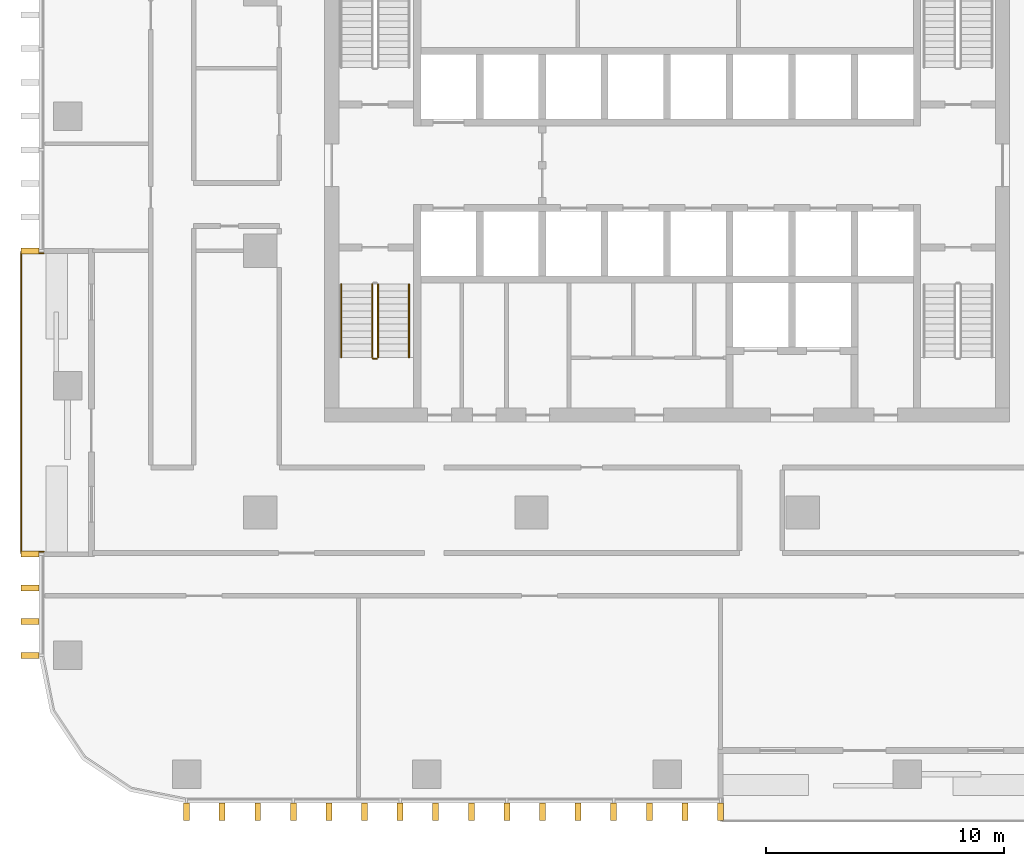
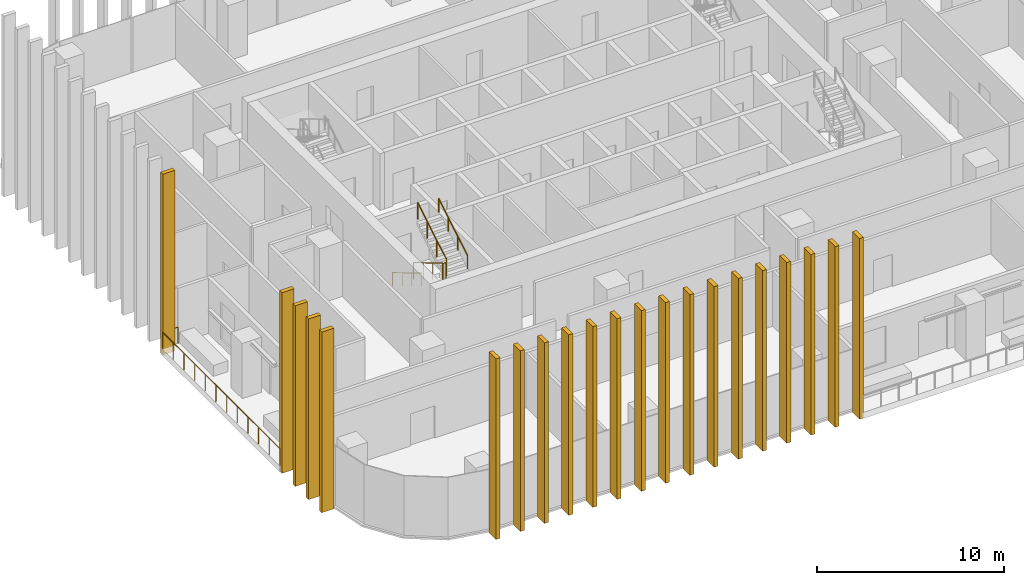
# One storey, part 12 of 16: 21 shading devices, 5 railings.
"""IFC4 building model written with IfcOpenShell, lengths in metres."""

from ifc_helpers import new_model, si_unit, direction, frame, origin, origin_2d, place, context, subcontext, project, spatial, rectangle, circle, extrude, material, type_object, element, save


model = new_model("IFC4")

# Units and contexts
model_context = context("Model", 3, precision=1e-05, world=origin(), true_north=direction((0.0, 1.0)))
body_context = subcontext(model_context, "Body", "Model", "MODEL_VIEW")
ifc_project = project(units=[si_unit("LENGTHUNIT", "METRE"), si_unit("AREAUNIT", "SQUARE_METRE"), si_unit("VOLUMEUNIT", "CUBIC_METRE"), si_unit("PLANEANGLEUNIT", "RADIAN"), si_unit("MASSUNIT", "GRAM", prefix="KILO")], contexts=[model_context])

# Site, building, storey
site_placement = place(None, origin())
site = spatial("IfcSite", under=ifc_project, at=site_placement, CompositionType="ELEMENT")
building_placement = place(site_placement, origin())
building = spatial("IfcBuilding", under=site, at=building_placement, Name="Mopane Tessera Tower", CompositionType="ELEMENT")
storey_placement = place(building_placement, frame((0.0, 0.0, 193.0)))
storey = spatial("IfcBuildingStorey", under=building, at=storey_placement, Name="L40", CompositionType="ELEMENT", Elevation=193.0)

# Shading devices
ifc_material_1 = material(Name="Glazed ceramic tile")
shading_device_type = type_object("IfcShadingDeviceType", Name="Ceramic tile fin 750 x 250 mm", PredefinedType="USERDEFINED", material=ifc_material_1)
for number, where, z_axis, x_axis, name in (
    (1, (-20.199951171875, -23.574951171875, -0.39990234375), (0.0, 0.0, 1.0), (1.0, 0.0, 0.0), "e:fin:L40:S:0:0"),
    (2, (-18.70361328125, -23.574951171875, -0.39990234375), (0.0, 0.0, 1.0), (1.0, 0.0, 0.0), "e:fin:L40:S:0:1"),
    (3, (-17.20751953125, -23.574951171875, -0.39990234375), (0.0, 0.0, 1.0), (1.0, 0.0, 0.0), "e:fin:L40:S:0:2"),
    (4, (-15.711181640625, -23.574951171875, -0.39990234375), (0.0, 0.0, 1.0), (1.0, 0.0, 0.0), "e:fin:L40:S:1:0"),
    (5, (-14.21484375, -23.574951171875, -0.39990234375), (0.0, 0.0, 1.0), (1.0, 0.0, 0.0), "e:fin:L40:S:1:1"),
    (6, (-12.718505859375, -23.574951171875, -0.39990234375), (0.0, 0.0, 1.0), (1.0, 0.0, 0.0), "e:fin:L40:S:1:2"),
    (7, (-11.22216796875, -23.574951171875, -0.39990234375), (0.0, 0.0, 1.0), (1.0, 0.0, 0.0), "e:fin:L40:S:2:0"),
    (8, (-9.725830078125, -23.574951171875, -0.39990234375), (0.0, 0.0, 1.0), (1.0, 0.0, 0.0), "e:fin:L40:S:2:1"),
    (9, (-8.229736328125, -23.574951171875, -0.39990234375), (0.0, 0.0, 1.0), (1.0, 0.0, 0.0), "e:fin:L40:S:2:2"),
    (10, (-6.7333984375, -23.574951171875, -0.39990234375), (0.0, 0.0, 1.0), (1.0, 0.0, 0.0), "e:fin:L40:S:3:0"),
    (11, (-5.237060546875, -23.574951171875, -0.39990234375), (0.0, 0.0, 1.0), (1.0, 0.0, 0.0), "e:fin:L40:S:3:1"),
    (12, (-3.74072265625, -23.574951171875, -0.39990234375), (0.0, 0.0, 1.0), (1.0, 0.0, 0.0), "e:fin:L40:S:3:2"),
    (13, (-2.244384765625, -23.574951171875, -0.39990234375), (0.0, 0.0, 1.0), (1.0, 0.0, 0.0), "e:fin:L40:S:4:0"),
    (14, (-0.748046875, -23.574951171875, -0.39990234375), (0.0, 0.0, 1.0), (1.0, 0.0, 0.0), "e:fin:L40:S:4:1"),
    (15, (0.748046875, -23.574951171875, -0.39990234375), (0.0, 0.0, 1.0), (1.0, 0.0, 0.0), "e:fin:L40:S:4:2"),
    (16, (2.244384765625, -23.574951171875, -0.39990234375), (0.0, 0.0, 1.0), (1.0, 0.0, 0.0), "e:fin:L40:S:4:3"),
    (17, (-26.77490234375, 0.0, -0.39990234375), (0.0, 0.0, 1.0), (0.0, -1.0, 0.0), "e:fin:L40:W:3:3"),
    (18, (-26.77490234375, -12.75, -0.39990234375), (0.0, 0.0, 1.0), (0.0, -1.0, 0.0), "e:fin:L40:W:7:0"),
    (19, (-26.77490234375, -14.166748046875, -0.39990234375), (0.0, 0.0, 1.0), (0.0, -1.0, 0.0), "e:fin:L40:W:7:1"),
    (20, (-26.77490234375, -15.583251953125, -0.39990234375), (0.0, 0.0, 1.0), (0.0, -1.0, 0.0), "e:fin:L40:W:7:2"),
    (21, (-26.77490234375, -17.0, -0.39990234375), (0.0, 0.0, 1.0), (0.0, -1.0, 0.0), "e:fin:L40:W:7:3"),
):
    element("IfcShadingDevice", number, at=place(storey_placement, frame(where, z_axis=z_axis, x_axis=x_axis)), inside=storey, type_object=shading_device_type, Name=name, ObjectType="FIN", PredefinedType="USERDEFINED", context=body_context, shape_type="SweptSolid", body=[
        extrude(rectangle(XDim=0.25, YDim=0.75, at=origin_2d()), origin(), (0.0, 0.0, 1.0), 11.800048828125),
    ])

# Railings
ifc_material_2 = material(Name="Powder-coated steel balustrade", Category="steel")
railing_type_1 = type_object("IfcRailingType", Name="Escape stair guard 1100 mm", PredefinedType="GUARDRAIL", material=ifc_material_2)
railing_1_placement = place(storey_placement, frame((-12.39990234375, -1.39990234375, 0.166748046875)))
element("IfcRailing", 22, at=railing_1_placement, inside=storey, type_object=railing_type_1, Name="L40 ST1 stair guard 1", PredefinedType="GUARDRAIL", context=body_context, shape_type="SweptSolid", body=[
    extrude(circle(Radius=0.02392578125, at=origin_2d()), frame((0.0, 0.0, 1.076171875), z_axis=(0.0, -0.859308565015, 0.511457515432), x_axis=(1.0, 0.0, 0.0)), (0.0, 0.0, 1.0), 3.58447265625),
    extrude(circle(Radius=0.02392578125, at=origin_2d()), frame((0.0, -3.080078125, 2.9091796875), z_axis=(0.705375805398, -0.708833529934, 0.0), x_axis=(0.708833529934, 0.705375805398, 0.0)), (0.0, 0.0, 1.0), 0.070556640625),
    extrude(circle(Radius=0.02392578125, at=origin_2d()), frame((0.0498046875, -3.130126953125, 2.9091796875), z_axis=(1.0, 0.0, 0.0), x_axis=(0.0, 1.0, 0.0)), (0.0, 0.0, 1.0), 0.150146484375),
    extrude(circle(Radius=0.02099609375, at=origin_2d()), origin(), (0.0, 0.0, 1.0), 1.052001953125),
    extrude(circle(Radius=0.02099609375, at=origin_2d()), frame((0.0, -1.026611328125, 0.611083984375)), (0.0, 0.0, 1.0), 1.052001953125),
    extrude(circle(Radius=0.02099609375, at=origin_2d()), frame((0.0, -2.053466796875, 1.22216796875)), (0.0, 0.0, 1.0), 1.052001953125),
    extrude(circle(Radius=0.02099609375, at=origin_2d()), frame((0.0, -3.080078125, 1.833251953125)), (0.0, 0.0, 1.0), 1.052001953125),
    extrude(circle(Radius=0.02099609375, at=origin_2d()), frame((0.0498046875, -3.130126953125, 1.833251953125)), (0.0, 0.0, 1.0), 1.052001953125),
    extrude(circle(Radius=0.02099609375, at=origin_2d()), frame((0.199951171875, -3.130126953125, 1.833251953125)), (0.0, 0.0, 1.0), 1.052001953125),
])
railing_2_placement = place(storey_placement, frame((-12.14990234375, -4.47998046875, 2.166748046875)))
element("IfcRailing", 23, at=railing_2_placement, inside=storey, type_object=railing_type_1, Name="L40 ST1 stair guard 2", PredefinedType="GUARDRAIL", context=body_context, shape_type="SweptSolid", body=[
    extrude(circle(Radius=0.02392578125, at=origin_2d()), frame((0.0, 0.0, 1.076171875), z_axis=(0.0, 0.859308565015, 0.511457515432), x_axis=(-1.0, 0.0, 0.0)), (0.0, 0.0, 1.0), 3.58447265625),
    extrude(circle(Radius=0.02099609375, at=origin_2d()), origin(), (0.0, 0.0, 1.0), 1.052001953125),
    extrude(circle(Radius=0.02099609375, at=origin_2d()), frame((0.0, 1.026611328125, 0.611083984375)), (0.0, 0.0, 1.0), 1.052001953125),
    extrude(circle(Radius=0.02099609375, at=origin_2d()), frame((0.0, 2.053466796875, 1.22216796875)), (0.0, 0.0, 1.0), 1.052001953125),
    extrude(circle(Radius=0.02099609375, at=origin_2d()), frame((0.0, 3.080078125, 1.833251953125)), (0.0, 0.0, 1.0), 1.052001953125),
])
ifc_material_3 = material(Name="Powder-coated steel balustrade", Category="steel")
railing_type_2 = type_object("IfcRailingType", Name="Escape stair handrail 900 mm", PredefinedType="HANDRAIL", material=ifc_material_3)
railing_3_placement = place(storey_placement, frame((-13.699951171875, -1.39990234375, 0.166748046875)))
element("IfcRailing", 24, at=railing_3_placement, inside=storey, type_object=railing_type_2, Name="L40 ST1 stair handrail 1", PredefinedType="HANDRAIL", context=body_context, shape_type="SweptSolid", body=[
    extrude(circle(Radius=0.02392578125, at=origin_2d()), frame((0.0, 0.0, 0.8759765625), z_axis=(0.0, -0.859308565015, 0.511457515432), x_axis=(1.0, 0.0, 0.0)), (0.0, 0.0, 1.0), 3.58447265625),
    extrude(circle(Radius=0.02099609375, at=origin_2d()), origin(), (0.0, 0.0, 1.0), 0.851806640625),
    extrude(circle(Radius=0.02099609375, at=origin_2d()), frame((0.0, -1.026611328125, 0.611083984375)), (0.0, 0.0, 1.0), 0.851806640625),
    extrude(circle(Radius=0.02099609375, at=origin_2d()), frame((0.0, -2.053466796875, 1.22216796875)), (0.0, 0.0, 1.0), 0.851806640625),
    extrude(circle(Radius=0.02099609375, at=origin_2d()), frame((0.0, -3.080078125, 1.833251953125)), (0.0, 0.0, 1.0), 0.851806640625),
])
railing_4_placement = place(storey_placement, frame((-10.85009765625, -4.47998046875, 2.166748046875)))
element("IfcRailing", 25, at=railing_4_placement, inside=storey, type_object=railing_type_2, Name="L40 ST1 stair handrail 2", PredefinedType="HANDRAIL", context=body_context, shape_type="SweptSolid", body=[
    extrude(circle(Radius=0.02392578125, at=origin_2d()), frame((0.0, 0.0, 0.8759765625), z_axis=(0.0, 0.859308565015, 0.511457515432), x_axis=(-1.0, 0.0, 0.0)), (0.0, 0.0, 1.0), 3.58447265625),
    extrude(circle(Radius=0.02099609375, at=origin_2d()), origin(), (0.0, 0.0, 1.0), 0.851806640625),
    extrude(circle(Radius=0.02099609375, at=origin_2d()), frame((0.0, 1.026611328125, 0.611083984375)), (0.0, 0.0, 1.0), 0.851806640625),
    extrude(circle(Radius=0.02099609375, at=origin_2d()), frame((0.0, 2.053466796875, 1.22216796875)), (0.0, 0.0, 1.0), 0.851806640625),
    extrude(circle(Radius=0.02099609375, at=origin_2d()), frame((0.0, 3.080078125, 1.833251953125)), (0.0, 0.0, 1.0), 0.851806640625),
])
ifc_material_4 = material(Name="Stainless steel S316", Category="steel")
railing_type_3 = type_object("IfcRailingType", Name="Terrace guard 1100", PredefinedType="GUARDRAIL", material=ifc_material_4)
railing_5_placement = place(storey_placement, frame((-26.199951171875, -0.10009765625, 0.0)))
element("IfcRailing", 26, at=railing_5_placement, inside=storey, type_object=railing_type_3, Name="e:nw:L40:N1:guard", PredefinedType="GUARDRAIL", context=body_context, shape_type="SweptSolid", body=[
    extrude(circle(Radius=0.02392578125, at=origin_2d()), frame((0.0, 0.0, 1.076171875), z_axis=(-1.0, 0.0, 0.0), x_axis=(0.0, -1.0, 0.0)), (0.0, 0.0, 1.0), 0.949951171875),
    extrude(circle(Radius=0.02392578125, at=origin_2d()), frame((-0.949951171875, 0.0, 1.076171875), z_axis=(0.0, -1.0, 0.0), x_axis=(1.0, 0.0, 0.0)), (0.0, 0.0, 1.0), 12.5498046875),
    extrude(circle(Radius=0.02392578125, at=origin_2d()), frame((-0.949951171875, -12.5498046875, 1.076171875), z_axis=(1.0, 0.0, 0.0), x_axis=(0.0, 1.0, 0.0)), (0.0, 0.0, 1.0), 0.949951171875),
    extrude(circle(Radius=0.02099609375, at=origin_2d()), origin(), (0.0, 0.0, 1.0), 1.052001953125),
    extrude(circle(Radius=0.02099609375, at=origin_2d()), frame((-0.949951171875, 0.0, 0.0)), (0.0, 0.0, 1.0), 1.052001953125),
    extrude(circle(Radius=0.02099609375, at=origin_2d()), frame((-0.949951171875, -1.140869140625, 0.0)), (0.0, 0.0, 1.0), 1.052001953125),
    extrude(circle(Radius=0.02099609375, at=origin_2d()), frame((-0.949951171875, -2.28173828125, 0.0)), (0.0, 0.0, 1.0), 1.052001953125),
    extrude(circle(Radius=0.02099609375, at=origin_2d()), frame((-0.949951171875, -3.422607421875, 0.0)), (0.0, 0.0, 1.0), 1.052001953125),
    extrude(circle(Radius=0.02099609375, at=origin_2d()), frame((-0.949951171875, -4.5634765625, 0.0)), (0.0, 0.0, 1.0), 1.052001953125),
    extrude(circle(Radius=0.02099609375, at=origin_2d()), frame((-0.949951171875, -5.704345703125, 0.0)), (0.0, 0.0, 1.0), 1.052001953125),
    extrude(circle(Radius=0.02099609375, at=origin_2d()), frame((-0.949951171875, -6.845458984375, 0.0)), (0.0, 0.0, 1.0), 1.052001953125),
    extrude(circle(Radius=0.02099609375, at=origin_2d()), frame((-0.949951171875, -7.986328125, 0.0)), (0.0, 0.0, 1.0), 1.052001953125),
    extrude(circle(Radius=0.02099609375, at=origin_2d()), frame((-0.949951171875, -9.127197265625, 0.0)), (0.0, 0.0, 1.0), 1.052001953125),
    extrude(circle(Radius=0.02099609375, at=origin_2d()), frame((-0.949951171875, -10.26806640625, 0.0)), (0.0, 0.0, 1.0), 1.052001953125),
    extrude(circle(Radius=0.02099609375, at=origin_2d()), frame((-0.949951171875, -11.408935546875, 0.0)), (0.0, 0.0, 1.0), 1.052001953125),
    extrude(circle(Radius=0.02099609375, at=origin_2d()), frame((-0.949951171875, -12.5498046875, 0.0)), (0.0, 0.0, 1.0), 1.052001953125),
    extrude(circle(Radius=0.02099609375, at=origin_2d()), frame((0.0, -12.5498046875, 0.0)), (0.0, 0.0, 1.0), 1.052001953125),
])

save(model, "model.ifc")
